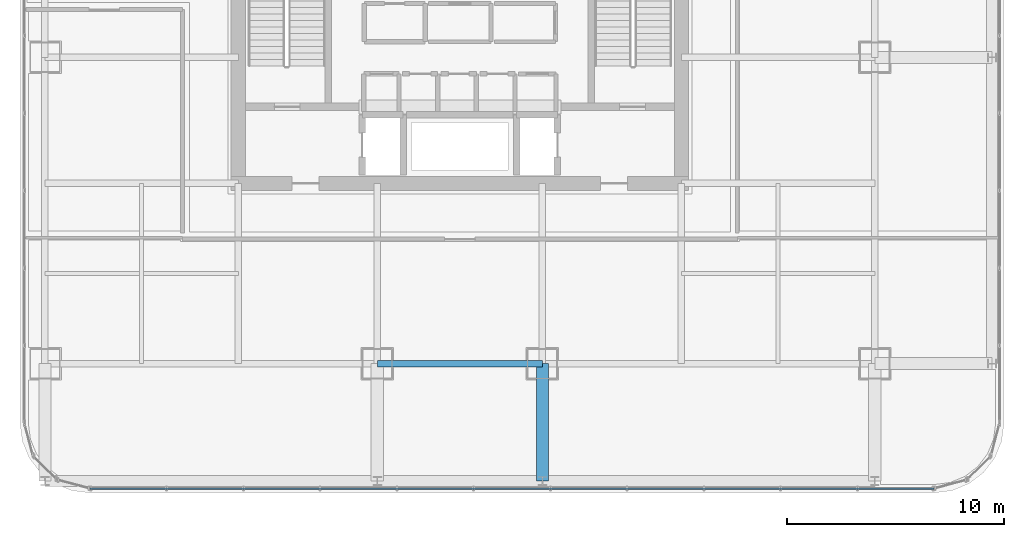
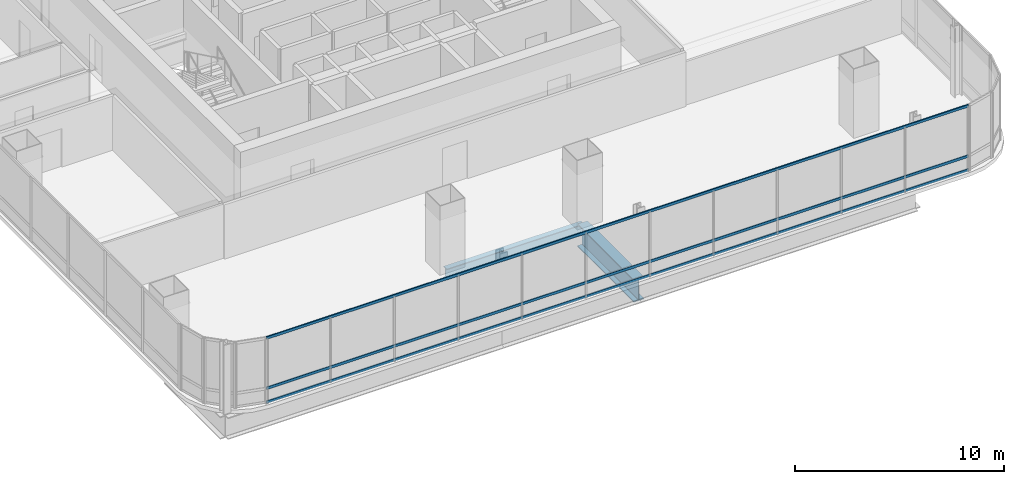
# One storey, part 6 of 36: 3 members, 2 beams, 1 element without a shape of its own.
"""IFC4 building model written with IfcOpenShell, lengths in metres."""

from ifc_helpers import new_model, si_unit, direction, frame, origin, origin_2d, place, context, subcontext, project, spatial, hollow_rectangle, i_section, extrude, material, material_profile, profile_set, type_object, element, aggregate, save


model = new_model("IFC4")

# Units and contexts
model_context = context("Model", 3, precision=1e-05, world=origin(), true_north=direction((0.0, 1.0)))
body_context = subcontext(model_context, "Body", "Model", "MODEL_VIEW")
ifc_project = project(units=[si_unit("LENGTHUNIT", "METRE"), si_unit("AREAUNIT", "SQUARE_METRE"), si_unit("VOLUMEUNIT", "CUBIC_METRE"), si_unit("PLANEANGLEUNIT", "RADIAN"), si_unit("MASSUNIT", "GRAM", prefix="KILO")], contexts=[model_context])

# Site, building, storey
site_placement = place(None, origin())
site = spatial("IfcSite", under=ifc_project, at=site_placement, CompositionType="ELEMENT")
building_placement = place(site_placement, origin())
building = spatial("IfcBuilding", under=site, at=building_placement, Name="Punatoya Terracotta Tower", CompositionType="ELEMENT")
storey_placement = place(building_placement, frame((0.0, 0.0, 212.699951171875)))
storey = spatial("IfcBuildingStorey", under=building, at=storey_placement, Name="L50", CompositionType="ELEMENT", Elevation=212.699951171875)

# Beams
ifc_material_1 = material(Name="Steel S355", Category="steel")
ifc_material_profile_1 = material_profile(ifc_material_1, i_section(OverallWidth=0.300048828125, OverallDepth=0.64990234375, WebThickness=0.01611328125, FlangeThickness=0.031005859375, FilletRadius=0.01806640625, at=origin_2d()))
ifc_profile_set_1 = profile_set([ifc_material_profile_1], Name="Steel S355")
beam_type_1 = type_object("IfcBeamType", Name="BM-PRI-650", PredefinedType="BEAM", material=ifc_profile_set_1)
beam_1_placement = place(storey_placement, frame((-3.800048828125, -17.5, -0.544921875), z_axis=(1.0, 0.0, 0.0), x_axis=(0.0, 1.0, 0.0)))
element("IfcBeam", 1, at=beam_1_placement, inside=storey, type_object=beam_type_1, Name="BM-L50-RG-S2", PredefinedType="BEAM", context=body_context, shape_type="SweptSolid", body=[
    extrude(i_section(OverallWidth=0.300048828125, OverallDepth=0.64990234375, WebThickness=0.01611328125, FlangeThickness=0.031005859375, FilletRadius=0.01806640625, at=origin_2d()), origin(), (0.0, 0.0, 1.0), 7.60009765625),
])
ifc_material_2 = material(Name="Steel S460", Category="steel")
ifc_material_profile_2 = material_profile(ifc_material_2, i_section(OverallWidth=0.56005859375, OverallDepth=1.320068359375, WebThickness=0.035888671875, FlangeThickness=0.054931640625, FilletRadius=0.01806640625, at=origin_2d()))
ifc_profile_set_2 = profile_set([ifc_material_profile_2], Name="Steel S460")
beam_type_2 = type_object("IfcBeamType", Name="BM-TG-BLK", PredefinedType="BEAM", material=ifc_profile_set_2)
beam_2_placement = place(storey_placement, frame((3.800048828125, -22.89990234375, -0.8798828125), z_axis=(0.0, 1.0, 0.0), x_axis=(-1.0, 0.0, 0.0)))
element("IfcBeam", 2, at=beam_2_placement, inside=storey, type_object=beam_type_2, Name="BM-L50-CANT-S3", PredefinedType="BEAM", context=body_context, shape_type="SweptSolid", body=[
    extrude(i_section(OverallWidth=0.56005859375, OverallDepth=1.320068359375, WebThickness=0.035888671875, FlangeThickness=0.054931640625, FilletRadius=0.01806640625, at=origin_2d()), origin(), (0.0, 0.0, 1.0), 5.39990234375),
])

# Curtain wall, members
ifc_material_3 = material(Name="Aluminium 6063-T6 + Double Low-E Glass", Category="aluminium")
curtain_wall_type = type_object("IfcCurtainWallType", Name="CW-M2", PredefinedType="NOTDEFINED", material=ifc_material_3)
curtain_wall_placement = place(storey_placement, origin())
curtain_wall = element("IfcCurtainWall", 3, at=curtain_wall_placement, inside=storey, type_object=curtain_wall_type, Name="L50 Curtain Wall CW-L50-S01-1", PredefinedType="NOTDEFINED")
ifc_material_4 = material(Name="Aluminium 6063-T6", Category="aluminium")
ifc_material_profile_3 = material_profile(ifc_material_4, hollow_rectangle(XDim=0.068115234375, YDim=0.14990234375, WallThickness=0.00390625, at=origin_2d()))
ifc_profile_set_3 = profile_set([ifc_material_profile_3], Name="Aluminium 6063-T6")
member_type = type_object("IfcMemberType", Name="CW-TRN-TYP", PredefinedType="USERDEFINED", material=ifc_profile_set_3)
member_1_placement = place(storey_placement, frame((-17.036865234375, -23.25, 0.0400390625), z_axis=(1.0, 0.0, 0.0), x_axis=(0.0, 1.0, 0.0)))
member_1 = element("IfcMember", 4, at=member_1_placement, type_object=member_type, Name="CW-L50-S01-1 Transom 1", ObjectType="TRANSOM", PredefinedType="USERDEFINED", context=body_context, shape_type="SweptSolid", body=[
    extrude(hollow_rectangle(XDim=0.068115234375, YDim=0.14990234375, WallThickness=0.00390625, at=origin_2d()), origin(), (0.0, 0.0, 1.0), 38.873779296875),
])
member_2_placement = place(storey_placement, frame((-17.036865234375, -23.25, 0.85009765625), z_axis=(1.0, 0.0, 0.0), x_axis=(0.0, 1.0, 0.0)))
member_2 = element("IfcMember", 5, at=member_2_placement, type_object=member_type, Name="CW-L50-S01-1 Transom 2", ObjectType="TRANSOM", PredefinedType="USERDEFINED", context=body_context, shape_type="SweptSolid", body=[
    extrude(hollow_rectangle(XDim=0.068115234375, YDim=0.14990234375, WallThickness=0.00390625, at=origin_2d()), origin(), (0.0, 0.0, 1.0), 38.873779296875),
])
member_3_placement = place(storey_placement, frame((-17.036865234375, -23.25, 3.7900390625), z_axis=(1.0, 0.0, 0.0), x_axis=(0.0, 1.0, 0.0)))
member_3 = element("IfcMember", 6, at=member_3_placement, type_object=member_type, Name="CW-L50-S01-1 Transom 3", ObjectType="TRANSOM", PredefinedType="USERDEFINED", context=body_context, shape_type="SweptSolid", body=[
    extrude(hollow_rectangle(XDim=0.068115234375, YDim=0.14990234375, WallThickness=0.00390625, at=origin_2d()), origin(), (0.0, 0.0, 1.0), 38.873779296875),
])
aggregate(curtain_wall, [member_1, member_2, member_3])

save(model, "model.ifc")
